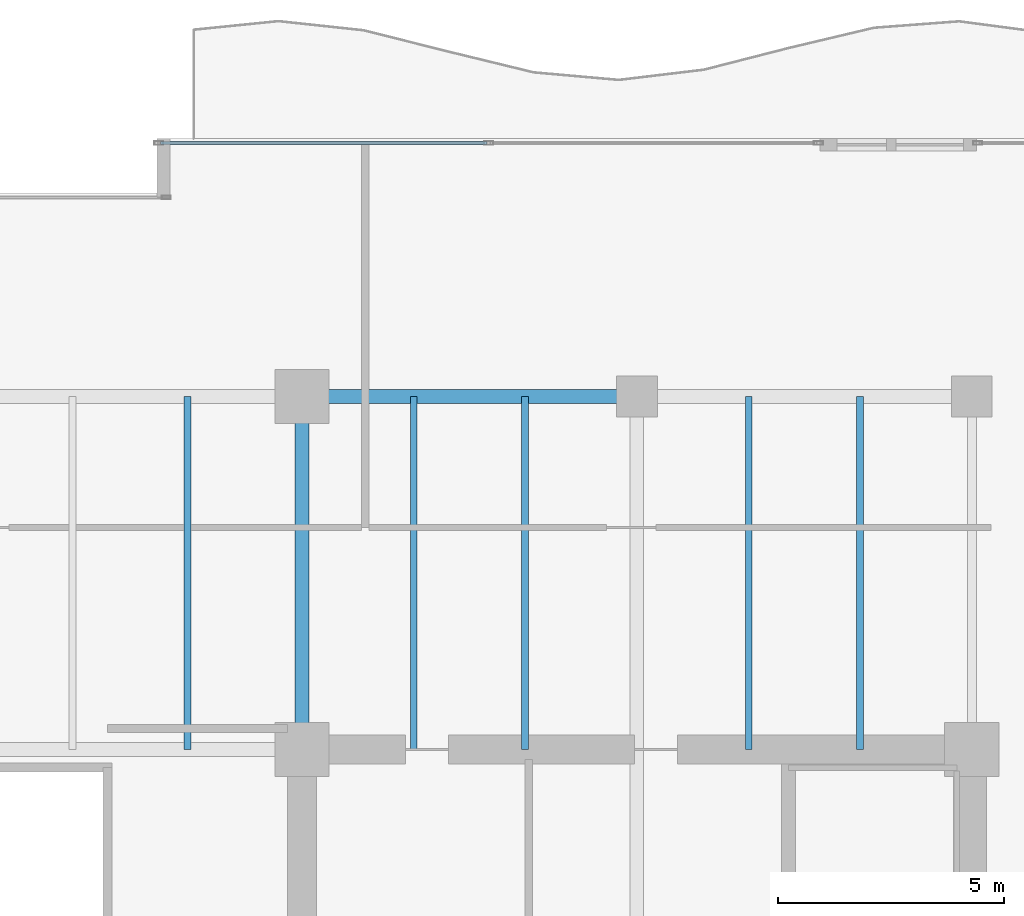
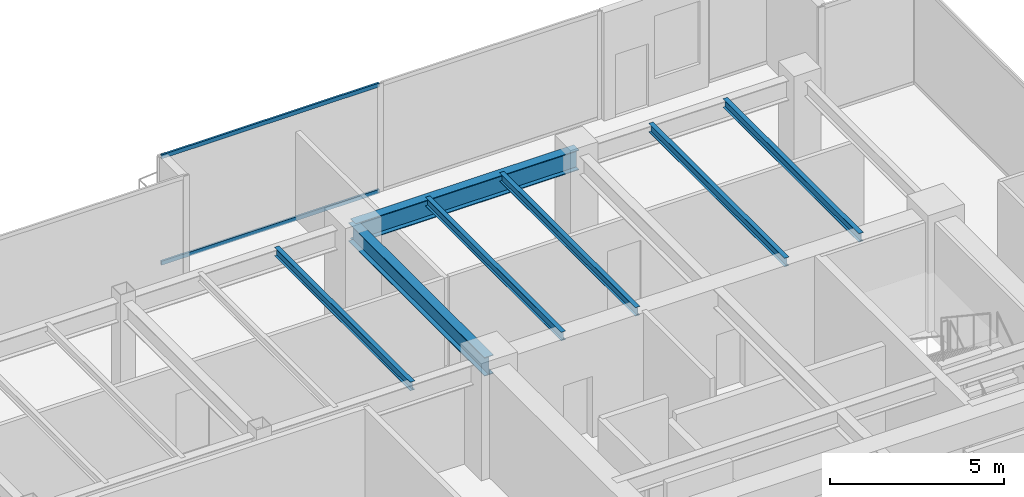
# One storey, part 17 of 30: 7 beams, 2 members, 1 element without a shape of its own.
"""IFC4 building model written with IfcOpenShell, lengths in metres."""

from ifc_helpers import new_model, si_unit, direction, frame, origin, origin_2d, place, context, subcontext, project, spatial, hollow_rectangle, i_section, extrude, source, transform, mapped, material, layer, layer_set, material_profile, profile_set, type_object, type_shapes, element, aggregate, save


model = new_model("IFC4")

# Units and contexts
model_context = context("Model", 3, precision=1e-05, world=origin(), true_north=direction((0.0, 1.0)))
body_context = subcontext(model_context, "Body", "Model", "MODEL_VIEW")
ifc_project = project(units=[si_unit("LENGTHUNIT", "METRE"), si_unit("AREAUNIT", "SQUARE_METRE"), si_unit("VOLUMEUNIT", "CUBIC_METRE"), si_unit("PLANEANGLEUNIT", "RADIAN"), si_unit("MASSUNIT", "GRAM", prefix="KILO")], contexts=[model_context])

# Site, building, storey
site_placement = place(None, origin())
site = spatial("IfcSite", under=ifc_project, at=site_placement, CompositionType="ELEMENT")
building_placement = place(site_placement, origin())
building = spatial("IfcBuilding", under=site, at=building_placement, Name="Haelvirn Gate Laboratories", CompositionType="ELEMENT")
storey_placement = place(building_placement, frame((0.0, 0.0, 146.10009765625)))
storey = spatial("IfcBuildingStorey", under=building, at=storey_placement, Name="L35", CompositionType="ELEMENT", Elevation=146.10009765625)

# Beams
ifc_material_1 = material(Name="Steel SM355", Category="steel")
ifc_material_profile_1 = material_profile(ifc_material_1, i_section(OverallWidth=0.300048828125, OverallDepth=0.64990234375, WebThickness=0.012939453125, FlangeThickness=0.02197265625, at=origin_2d()), Name="H-650x300x13x22")
ifc_profile_set_1 = profile_set([ifc_material_profile_1], Name="Steel SM355")
beam_type_1 = type_object("IfcBeamType", Name="BM-G-650", PredefinedType="BEAM", material=ifc_profile_set_1)
shared_shape_1 = source(origin(), body_context, "Body", "SweptSolid", [
    extrude(i_section(OverallWidth=0.300048828125, OverallDepth=0.64990234375, WebThickness=0.012939453125, FlangeThickness=0.02197265625, at=origin_2d()), origin(), (0.0, 0.0, 1.0), 7.800048828125),
])
type_shapes(beam_type_1, [shared_shape_1])
beam_1_placement = place(storey_placement, frame((52.60009765625, 33.800048828125, 3.46484375), z_axis=(0.0, 1.0, 0.0), x_axis=(-1.0, 0.0, 0.0)))
element("IfcBeam", 1, at=beam_1_placement, inside=storey, type_object=beam_type_1, Name="L35 Frame Girder X52.6 (33.8-41.6)", PredefinedType="BEAM", context=body_context, shape_type="MappedRepresentation", body=[
    mapped(shared_shape_1, transform((0.0, 0.0, 0.0), scale=1.0)),
])
ifc_material_profile_2 = material_profile(ifc_material_1, i_section(OverallWidth=0.300048828125, OverallDepth=0.699951171875, WebThickness=0.012939453125, FlangeThickness=0.02392578125, at=origin_2d()), Name="H-700x300x13x24")
ifc_profile_set_2 = profile_set([ifc_material_profile_2], Name="Steel SM355")
beam_type_2 = type_object("IfcBeamType", Name="BM-G-700", PredefinedType="BEAM", material=ifc_profile_set_2)
shared_shape_2 = source(origin(), body_context, "Body", "SweptSolid", [
    extrude(i_section(OverallWidth=0.300048828125, OverallDepth=0.699951171875, WebThickness=0.012939453125, FlangeThickness=0.02392578125, at=origin_2d()), origin(), (0.0, 0.0, 1.0), 7.39990234375),
])
type_shapes(beam_type_2, [shared_shape_2])
beam_2_placement = place(storey_placement, frame((52.60009765625, 41.60009765625, 3.43994140625), z_axis=(1.0, 0.0, 0.0), x_axis=(0.0, 1.0, 0.0)))
element("IfcBeam", 2, at=beam_2_placement, inside=storey, type_object=beam_type_2, Name="L35 Primary Girder Y41.6 (52.6-60.0)", PredefinedType="BEAM", context=body_context, shape_type="MappedRepresentation", body=[
    mapped(shared_shape_2, transform((0.0, 0.0, 0.0), scale=1.0)),
])
ifc_material_profile_3 = material_profile(ifc_material_1, i_section(OverallWidth=0.14990234375, OverallDepth=0.300048828125, WebThickness=0.006591796875, FlangeThickness=0.009033203125, at=origin_2d()), Name="H-300x150x6.5x9")
ifc_profile_set_3 = profile_set([ifc_material_profile_3], Name="Steel SM355")
beam_type_3 = type_object("IfcBeamType", Name="BM-J-300", PredefinedType="JOIST", material=ifc_profile_set_3)
shared_shape_3 = source(origin(), body_context, "Body", "SweptSolid", [
    extrude(i_section(OverallWidth=0.14990234375, OverallDepth=0.300048828125, WebThickness=0.006591796875, FlangeThickness=0.009033203125, at=origin_2d()), origin(), (0.0, 0.0, 1.0), 7.800048828125),
])
type_shapes(beam_type_3, [shared_shape_3])
for number, where, z_axis, x_axis, name in (
    (3, (50.070068359375, 33.800048828125, 3.639892578125), (0.0, 1.0, 0.0), (-1.0, 0.0, 0.0), "L35 Composite Lab Joist North X50.07"),
    (4, (55.070068359375, 33.800048828125, 3.639892578125), (0.0, 1.0, 0.0), (-1.0, 0.0, 0.0), "L35 Composite Lab Joist North X55.07"),
    (5, (57.530029296875, 33.800048828125, 3.639892578125), (0.0, 1.0, 0.0), (-1.0, 0.0, 0.0), "L35 Composite Lab Joist North X57.53"),
    (6, (62.469970703125, 33.800048828125, 3.639892578125), (0.0, 1.0, 0.0), (-1.0, 0.0, 0.0), "L35 Composite Lab Joist North X62.47"),
    (7, (64.929931640625, 33.800048828125, 3.639892578125), (0.0, 1.0, 0.0), (-1.0, 0.0, 0.0), "L35 Composite Lab Joist North X64.93"),
):
    element("IfcBeam", number, at=place(storey_placement, frame(where, z_axis=z_axis, x_axis=x_axis)), inside=storey, type_object=beam_type_3, Name=name, PredefinedType="JOIST", context=body_context, shape_type="MappedRepresentation", body=[
        mapped(shared_shape_3, transform((0.0, 0.0, 0.0), scale=1.0)),
    ])

# Curtain wall, members
ifc_material_2 = material(Name="Anodised bronze unitised aluminium & triple low-E glass", Category="aluminium")
ifc_layer = layer(ifc_material_2, 0.179931640625, Name="CW-SYS-3")
ifc_layer_set = layer_set([ifc_layer], Name="Anodised bronze unitised aluminium & triple low-E glass")
curtain_wall_type = type_object("IfcCurtainWallType", Name="CW-SYS-3", PredefinedType="NOTDEFINED", material=ifc_layer_set)
curtain_wall_placement = place(storey_placement, origin())
curtain_wall = element("IfcCurtainWall", 8, at=curtain_wall_placement, inside=storey, type_object=curtain_wall_type, Name="L35 Unitised Curtain Wall CW-L35-P0-E10-1", PredefinedType="NOTDEFINED")
ifc_material_3 = material(Name="Extruded aluminium 6063-T6 (anodised bronze)", Category="aluminium")
ifc_material_profile_4 = material_profile(ifc_material_3, hollow_rectangle(XDim=0.06494140625, YDim=0.139892578125, WallThickness=0.00390625, at=origin_2d()), Name="CWT-140x65x4")
ifc_profile_set_4 = profile_set([ifc_material_profile_4], Name="Extruded aluminium 6063-T6 (anodised bronze)")
member_type = type_object("IfcMemberType", Name="CWT-T140", PredefinedType="USERDEFINED", material=ifc_profile_set_4)
shared_shape_4 = source(origin(), body_context, "Body", "SweptSolid", [
    extrude(hollow_rectangle(XDim=0.06494140625, YDim=0.139892578125, WallThickness=0.00390625, at=origin_2d()), origin(), (0.0, 0.0, 1.0), 7.21240234375),
])
type_shapes(member_type, [shared_shape_4])
member_1_placement = place(storey_placement, frame((49.47509765625, 47.199951171875, 0.032470703125), z_axis=(1.0, 0.0, 0.0), x_axis=(0.0, 1.0, 0.0)))
member_1 = element("IfcMember", 9, at=member_1_placement, type_object=member_type, Name="CW3 transom 1.1", ObjectType="TRANSOM", PredefinedType="USERDEFINED", context=body_context, shape_type="MappedRepresentation", body=[
    mapped(shared_shape_4, transform((0.0, 0.0, 0.0), scale=1.0)),
])
member_2_placement = place(storey_placement, frame((49.47509765625, 47.199951171875, 3.75732421875), z_axis=(1.0, 0.0, 0.0), x_axis=(0.0, 1.0, 0.0)))
member_2 = element("IfcMember", 10, at=member_2_placement, type_object=member_type, Name="CW3 transom 1.2", ObjectType="TRANSOM", PredefinedType="USERDEFINED", context=body_context, shape_type="MappedRepresentation", body=[
    mapped(shared_shape_4, transform((0.0, 0.0, 0.0), scale=1.0)),
])
aggregate(curtain_wall, [member_1, member_2])

save(model, "model.ifc")
